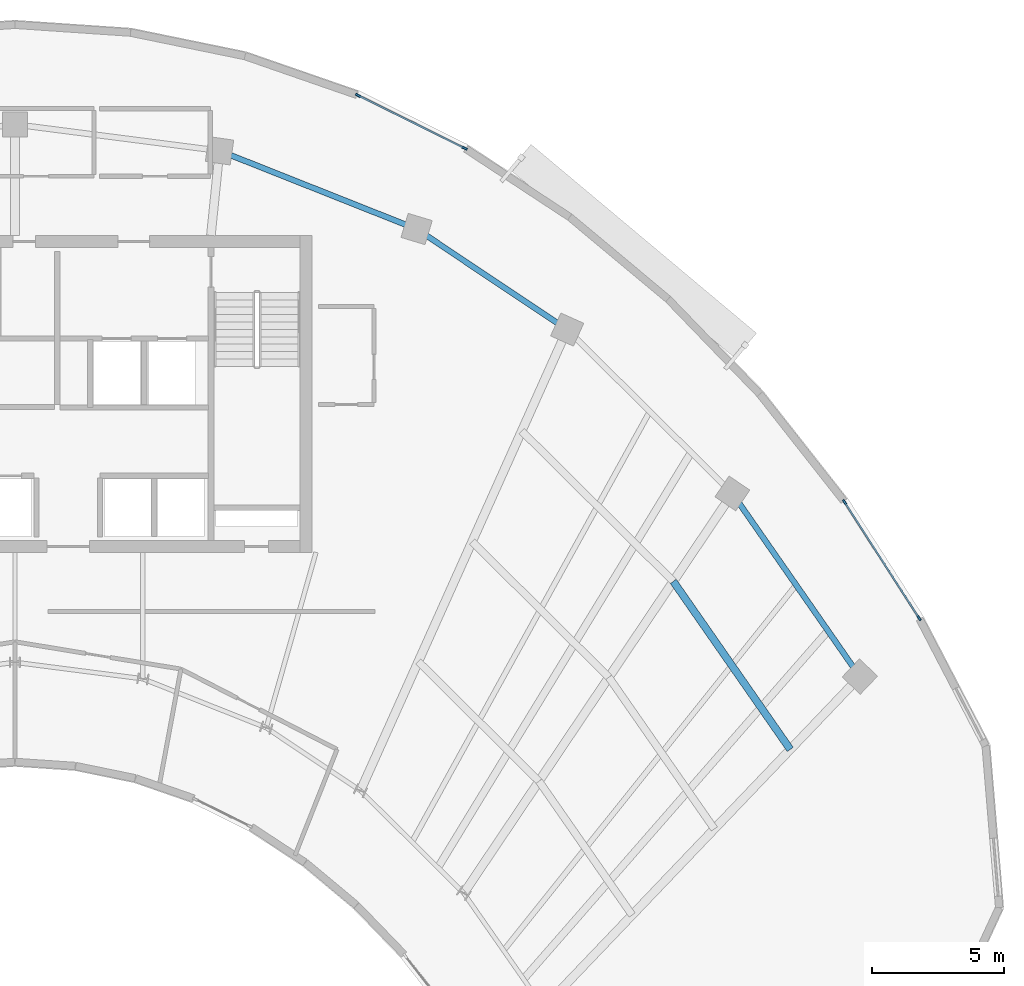
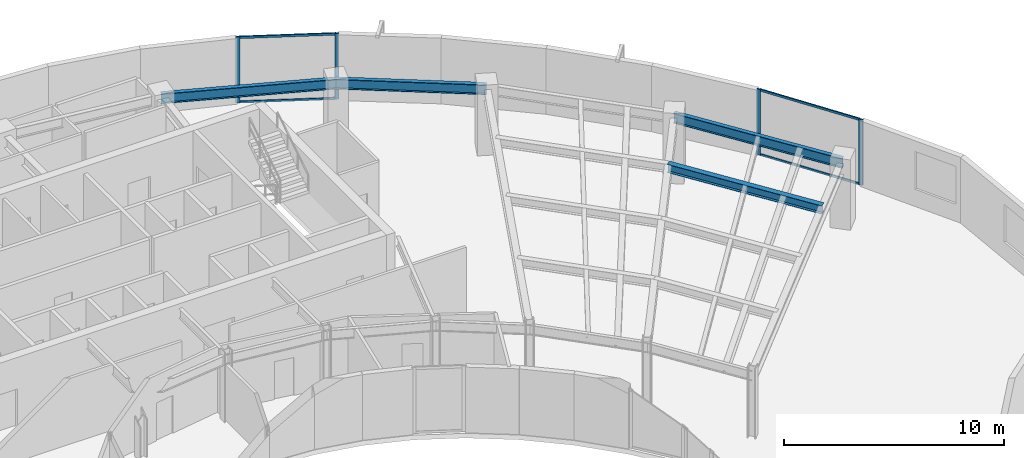
# One storey, part 6 of 14: 8 members, 4 beams, 2 elements without a shape of their own.
"""IFC4 building model written with IfcOpenShell, lengths in metres."""

from ifc_helpers import new_model, si_unit, direction, frame, origin, origin_2d, place, context, subcontext, project, spatial, rectangle, i_section, extrude, source, transform, mapped, material, layer, layer_set, material_profile, profile_set, type_object, element, aggregate, save


model = new_model("IFC4")

# Units and contexts
model_context = context("Model", 3, precision=1e-05, world=origin(), true_north=direction((0.0, 1.0)))
body_context = subcontext(model_context, "Body", "Model", "MODEL_VIEW")
ifc_project = project(units=[si_unit("LENGTHUNIT", "METRE"), si_unit("AREAUNIT", "SQUARE_METRE"), si_unit("VOLUMEUNIT", "CUBIC_METRE"), si_unit("PLANEANGLEUNIT", "RADIAN"), si_unit("MASSUNIT", "GRAM", prefix="KILO")], contexts=[model_context])

# Site, building, storey
site_placement = place(None, origin())
site = spatial("IfcSite", under=ifc_project, at=site_placement, CompositionType="ELEMENT")
building_placement = place(site_placement, origin())
building = spatial("IfcBuilding", under=site, at=building_placement, Name="Breltana Convention Tower", CompositionType="ELEMENT")
storey_placement = place(building_placement, frame((0.0, 0.0, 211.800048828125)))
storey = spatial("IfcBuildingStorey", under=building, at=storey_placement, Name="L51", CompositionType="ELEMENT", Elevation=211.800048828125)

# Beams
ifc_material_1 = material(Name="Steel ASTM A992 Grade 50", Category="steel")
ifc_material_profile_1 = material_profile(ifc_material_1, i_section(OverallWidth=0.280029296875, OverallDepth=0.462890625, WebThickness=0.0107421875, FlangeThickness=0.017333984375, at=origin_2d()), Name="W18X76")
ifc_profile_set_1 = profile_set([ifc_material_profile_1], Name="Steel ASTM A992 Grade 50")
beam_type_1 = type_object("IfcBeamType", Name="BM-JSG-06", PredefinedType="JOIST", material=ifc_profile_set_1)
shared_shape_1 = source(origin(), body_context, "Body", "SweptSolid", [
    extrude(i_section(OverallWidth=0.280029296875, OverallDepth=0.462890625, WebThickness=0.0107421875, FlangeThickness=0.017333984375, at=origin_2d()), origin(), (0.0, 0.0, 1.0), 7.75390625),
])
beam_1_placement = place(storey_placement, frame((72.92919921875, 59.10009765625, 3.408447265625), z_axis=(0.57119271264, -0.820815987312, 0.0), x_axis=(0.820815987312, 0.57119271264, 0.0)))
element("IfcBeam", 1, at=beam_1_placement, inside=storey, type_object=beam_type_1, Name="L51 Composite Floor Joist 10.3", PredefinedType="JOIST", context=body_context, shape_type="MappedRepresentation", body=[
    mapped(shared_shape_1, transform((0.0, 0.0, 0.0), scale=1.0)),
])
ifc_material_profile_2 = material_profile(ifc_material_1, i_section(OverallWidth=0.214111328125, OverallDepth=0.549072265625, WebThickness=0.0146484375, FlangeThickness=0.023681640625, at=origin_2d()), Name="W21X93")
ifc_profile_set_2 = profile_set([ifc_material_profile_2], Name="Steel ASTM A992 Grade 50")
beam_type_2 = type_object("IfcBeamType", Name="BM-SP-W21X93", PredefinedType="SPANDREL", material=ifc_profile_set_2)
shared_shape_2 = source(origin(), body_context, "Body", "SweptSolid", [
    extrude(i_section(OverallWidth=0.214111328125, OverallDepth=0.549072265625, WebThickness=0.0146484375, FlangeThickness=0.023681640625, at=origin_2d()), origin(), (0.0, 0.0, 1.0), 8.028564453125),
])
beam_2_placement = place(storey_placement, frame((55.746826171875, 75.404296875, 3.365478515625), z_axis=(0.929459100394, -0.368925169507, 0.0), x_axis=(0.368925169507, 0.929459100394, 0.0)))
element("IfcBeam", 2, at=beam_2_placement, inside=storey, type_object=beam_type_2, Name="L51 Outer Spandrel Beam 07", PredefinedType="SPANDREL", context=body_context, shape_type="MappedRepresentation", body=[
    mapped(shared_shape_2, transform((0.0, 0.0, 0.0), scale=1.0)),
])
shared_shape_3 = source(origin(), body_context, "Body", "SweptSolid", [
    extrude(i_section(OverallWidth=0.214111328125, OverallDepth=0.549072265625, WebThickness=0.0146484375, FlangeThickness=0.023681640625, at=origin_2d()), origin(), (0.0, 0.0, 1.0), 6.856689453125),
])
beam_3_placement = place(storey_placement, frame((63.208984375, 72.4423828125, 3.365478515625), z_axis=(0.83150210718, -0.55552159792, 0.0), x_axis=(0.55552159792, 0.83150210718, 0.0)))
element("IfcBeam", 3, at=beam_3_placement, inside=storey, type_object=beam_type_2, Name="L51 Outer Spandrel Beam 08", PredefinedType="SPANDREL", context=body_context, shape_type="MappedRepresentation", body=[
    mapped(shared_shape_3, transform((0.0, 0.0, 0.0), scale=1.0)),
])
shared_shape_4 = source(origin(), body_context, "Body", "SweptSolid", [
    extrude(i_section(OverallWidth=0.214111328125, OverallDepth=0.549072265625, WebThickness=0.0146484375, FlangeThickness=0.023681640625, at=origin_2d()), origin(), (0.0, 0.0, 1.0), 8.44970703125),
])
beam_4_placement = place(storey_placement, frame((75.166748046875, 62.43017578125, 3.365478515625), z_axis=(0.5711855381, -0.820820979913, 0.0), x_axis=(0.820820979913, 0.5711855381, 0.0)))
element("IfcBeam", 4, at=beam_4_placement, inside=storey, type_object=beam_type_2, Name="L51 Outer Spandrel Beam 10", PredefinedType="SPANDREL", context=body_context, shape_type="MappedRepresentation", body=[
    mapped(shared_shape_4, transform((0.0, 0.0, 0.0), scale=1.0)),
])

# Curtain wall, members
ifc_material_2 = material(Name="Aluminium Anodised Bronze Frame", Category="aluminium")
ifc_layer = layer(ifc_material_2, 0.219970703125, Name="Aluminium Anodised Bronze Frame")
ifc_layer_set = layer_set([ifc_layer], Name="Aluminium Anodised Bronze Frame")
curtain_wall_type = type_object("IfcCurtainWallType", Name="CW-SYS-4", PredefinedType="NOTDEFINED", material=ifc_layer_set)
curtain_wall_1_placement = place(storey_placement, origin())
curtain_wall_1 = element("IfcCurtainWall", 5, at=curtain_wall_1_placement, inside=storey, type_object=curtain_wall_type, Name="L51 outer double-skin inner glazing 4", PredefinedType="NOTDEFINED")
ifc_material_3 = material(Name="Aluminium Anodised Bronze", Category="aluminium")
ifc_material_profile_3 = material_profile(ifc_material_3, rectangle(XDim=0.080078125, YDim=0.199951171875, at=origin_2d()), Name="CWM-80X200")
ifc_profile_set_3 = profile_set([ifc_material_profile_3], Name="Aluminium Anodised Bronze")
member_type_1 = type_object("IfcMemberType", Name="CWM-200", PredefinedType="MULLION", material=ifc_profile_set_3)
shared_shape_5 = source(origin(), body_context, "Body", "SweptSolid", [
    extrude(rectangle(XDim=0.080078125, YDim=0.199951171875, at=origin_2d()), origin(), (0.0, 0.0, 1.0), 3.639892578125),
])
member_1_placement = place(storey_placement, frame((60.9892578125, 77.50244140625, 0.0), z_axis=(0.0, 0.0, 1.0), x_axis=(0.444108875003, 0.895972827235, 0.0)))
member_1 = element("IfcMember", 6, at=member_1_placement, type_object=member_type_1, Name="CW-04 mullion 1", PredefinedType="MULLION", context=body_context, shape_type="MappedRepresentation", body=[
    mapped(shared_shape_5, transform((0.0, 0.0, 0.0), scale=1.0)),
])
member_2_placement = place(storey_placement, frame((65.03076171875, 75.499267578125, 0.0), z_axis=(0.0, 0.0, 1.0), x_axis=(0.444108875003, 0.895972827235, 0.0)))
member_2 = element("IfcMember", 7, at=member_2_placement, type_object=member_type_1, Name="CW-04 mullion 2", PredefinedType="MULLION", context=body_context, shape_type="MappedRepresentation", body=[
    mapped(shared_shape_5, transform((0.0, 0.0, 0.0), scale=1.0)),
])

curtain_wall_2_placement = place(storey_placement, origin())
curtain_wall_2 = element("IfcCurtainWall", 8, at=curtain_wall_2_placement, inside=storey, type_object=curtain_wall_type, Name="L51 outer double-skin inner glazing 5", PredefinedType="NOTDEFINED")
member_3_placement = place(storey_placement, frame((79.41259765625, 62.10595703125, 0.0), z_axis=(0.0, 0.0, 1.0), x_axis=(0.84154835428, 0.540181791075, 0.0)))
member_3 = element("IfcMember", 9, at=member_3_placement, type_object=member_type_1, Name="CW-04 mullion 1", PredefinedType="MULLION", context=body_context, shape_type="MappedRepresentation", body=[
    mapped(shared_shape_5, transform((0.0, 0.0, 0.0), scale=1.0)),
])
member_4_placement = place(storey_placement, frame((82.23388671875, 57.710693359375, 0.0), z_axis=(0.0, 0.0, 1.0), x_axis=(0.84154835428, 0.540181791075, 0.0)))
member_4 = element("IfcMember", 10, at=member_4_placement, type_object=member_type_1, Name="CW-04 mullion 2", PredefinedType="MULLION", context=body_context, shape_type="MappedRepresentation", body=[
    mapped(shared_shape_5, transform((0.0, 0.0, 0.0), scale=1.0)),
])

# Member
ifc_material_profile_4 = material_profile(ifc_material_3, rectangle(XDim=0.070068359375, YDim=0.1201171875, at=origin_2d()), Name="CWT-70X120")
ifc_profile_set_4 = profile_set([ifc_material_profile_4], Name="Aluminium Anodised Bronze")
member_type_2 = type_object("IfcMemberType", Name="CWT-120", PredefinedType="USERDEFINED", material=ifc_profile_set_4)
shared_shape_6 = source(origin(), body_context, "Body", "SweptSolid", [
    extrude(rectangle(XDim=0.070068359375, YDim=0.1201171875, at=origin_2d()), origin(), (0.0, 0.0, 1.0), 4.4306640625),
])
member_5_placement = place(storey_placement, frame((61.025146484375, 77.48486328125, 0.034912109375), z_axis=(0.895964734866, -0.444125200678, 0.0), x_axis=(0.444125200678, 0.895964734866, 0.0)))
member_5 = element("IfcMember", 11, at=member_5_placement, type_object=member_type_2, Name="CW-04 transom 1.1", ObjectType="TRANSOM", PredefinedType="USERDEFINED", context=body_context, shape_type="MappedRepresentation", body=[
    mapped(shared_shape_6, transform((0.0, 0.0, 0.0), scale=1.0)),
])

member_6_placement = place(storey_placement, frame((61.025146484375, 77.48486328125, 3.60498046875), z_axis=(0.895964734866, -0.444125200678, 0.0), x_axis=(0.444125200678, 0.895964734866, 0.0)))
member_6 = element("IfcMember", 12, at=member_6_placement, type_object=member_type_2, Name="CW-04 transom 1.2", ObjectType="TRANSOM", PredefinedType="USERDEFINED", context=body_context, shape_type="MappedRepresentation", body=[
    mapped(shared_shape_6, transform((0.0, 0.0, 0.0), scale=1.0)),
])

aggregate(curtain_wall_1, [member_1, member_2, member_5, member_6])

shared_shape_7 = source(origin(), body_context, "Body", "SweptSolid", [
    extrude(rectangle(XDim=0.070068359375, YDim=0.1201171875, at=origin_2d()), origin(), (0.0, 0.0, 1.0), 5.142822265625),
])
member_7_placement = place(storey_placement, frame((79.43408203125, 62.072265625, 0.034912109375), z_axis=(0.54018882683, -0.841543838055, 0.0), x_axis=(0.841543838055, 0.54018882683, 0.0)))
member_7 = element("IfcMember", 13, at=member_7_placement, type_object=member_type_2, Name="CW-04 transom 1.1", ObjectType="TRANSOM", PredefinedType="USERDEFINED", context=body_context, shape_type="MappedRepresentation", body=[
    mapped(shared_shape_7, transform((0.0, 0.0, 0.0), scale=1.0)),
])

member_8_placement = place(storey_placement, frame((79.43408203125, 62.072265625, 3.60498046875), z_axis=(0.54018882683, -0.841543838055, 0.0), x_axis=(0.841543838055, 0.54018882683, 0.0)))
member_8 = element("IfcMember", 14, at=member_8_placement, type_object=member_type_2, Name="CW-04 transom 1.2", ObjectType="TRANSOM", PredefinedType="USERDEFINED", context=body_context, shape_type="MappedRepresentation", body=[
    mapped(shared_shape_7, transform((0.0, 0.0, 0.0), scale=1.0)),
])

aggregate(curtain_wall_2, [member_3, member_4, member_7, member_8])

save(model, "model.ifc")
